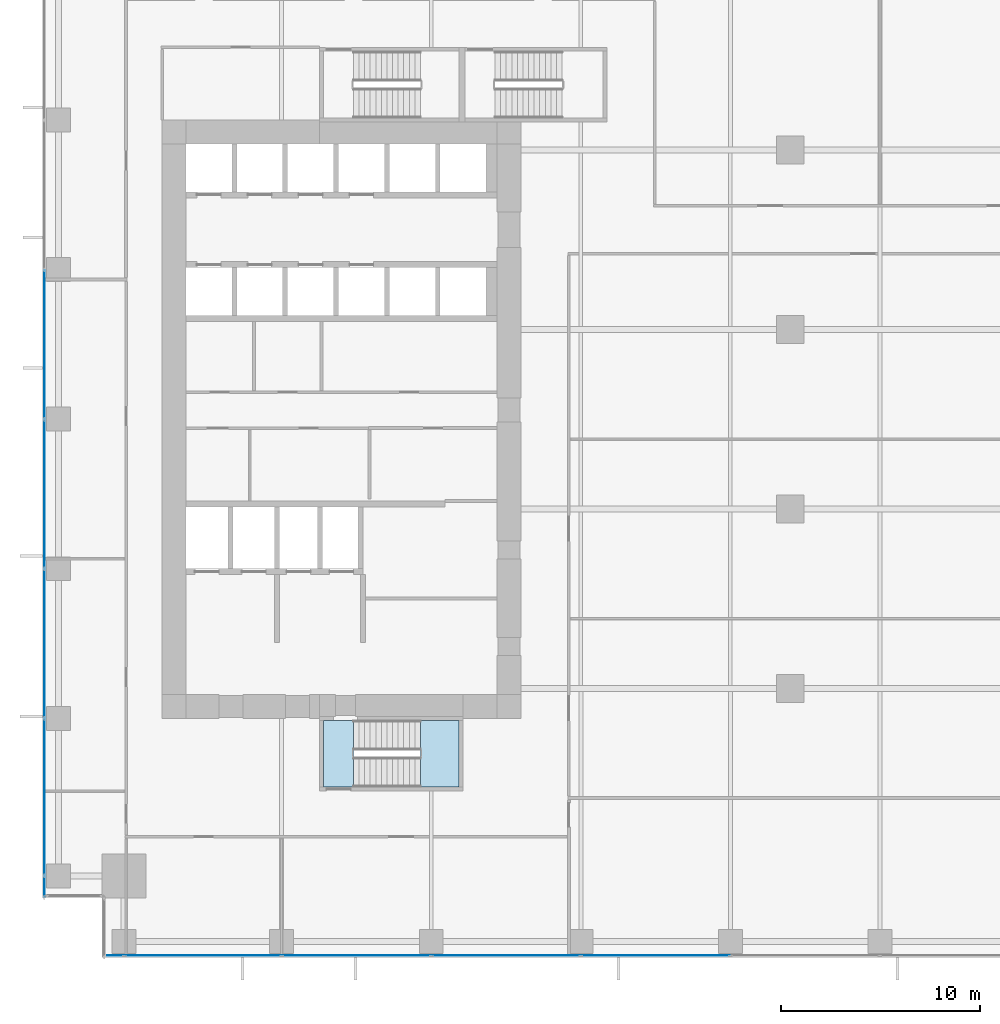
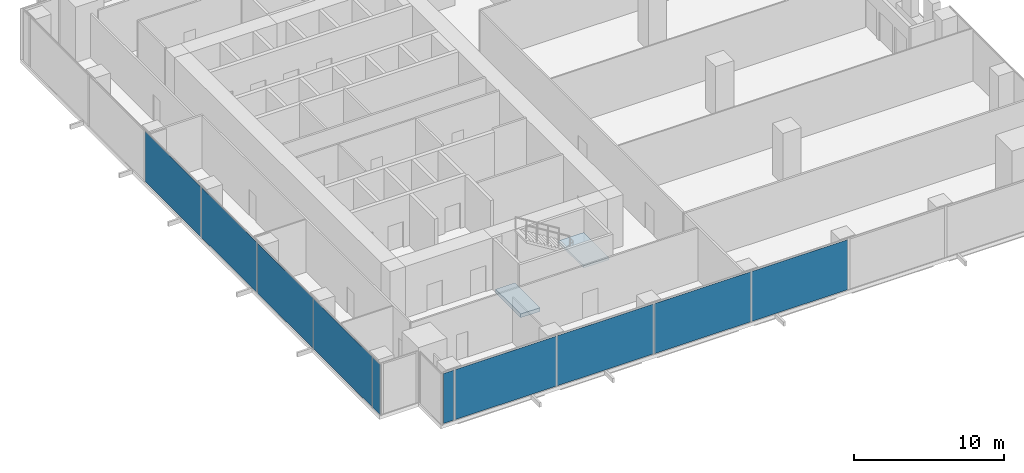
# One storey, part 21 of 32: 10 plates, 2 slabs, 3 elements without a shape of their own.
"""IFC4 building model written with IfcOpenShell, lengths in metres."""

from ifc_helpers import new_model, si_unit, direction, frame, origin, origin_2d, place, context, subcontext, project, spatial, polyline, rectangle, outline, extrude, source, transform, mapped, material, layer, layer_set, type_object, element, aggregate, save


model = new_model("IFC4")

# Units and contexts
model_context = context("Model", 3, precision=1e-05, world=origin(), true_north=direction((0.0, 1.0)))
body_context = subcontext(model_context, "Body", "Model", "MODEL_VIEW")
ifc_project = project(units=[si_unit("LENGTHUNIT", "METRE"), si_unit("AREAUNIT", "SQUARE_METRE"), si_unit("VOLUMEUNIT", "CUBIC_METRE"), si_unit("PLANEANGLEUNIT", "RADIAN"), si_unit("MASSUNIT", "GRAM", prefix="KILO")], contexts=[model_context])

# Site, building, storey
site_placement = place(None, origin())
site = spatial("IfcSite", under=ifc_project, at=site_placement, CompositionType="ELEMENT")
building_placement = place(site_placement, origin())
building = spatial("IfcBuilding", under=site, at=building_placement, Name="Khomas Fold Tower", CompositionType="ELEMENT")
storey_placement = place(building_placement, frame((0.0, 0.0, 37.5)))
storey = spatial("IfcBuildingStorey", under=building, at=storey_placement, Name="L07", CompositionType="ELEMENT", Elevation=37.5)

# Curtain wall, plates
ifc_material_1 = material(Name="Aluminium framed double glazing", Category="aluminium")
curtain_wall_type = type_object("IfcCurtainWallType", Name="SK-Unitised clear-glass wall, growing floors CW1", PredefinedType="NOTDEFINED", material=ifc_material_1)
curtain_wall_1_placement = place(storey_placement, origin())
curtain_wall_1 = element("IfcCurtainWall", 1, at=curtain_wall_1_placement, inside=storey, type_object=curtain_wall_type, Name="CW1 run L07 00-0", PredefinedType="NOTDEFINED")
ifc_material_2 = material(Name="Clear double glazed unit")
ifc_layer_1 = layer(ifc_material_2, 0.031982421875)
ifc_layer_set_1 = layer_set([ifc_layer_1], Name="Clear double glazed unit")
plate_type = type_object("IfcPlateType", Name="SK-Unitised clear-glass wall, growing floors glass panel CW1-P", PredefinedType="CURTAIN_PANEL", material=ifc_layer_set_1)
shared_shape_1 = source(origin(), body_context, "Body", "SweptSolid", [
    extrude(rectangle(XDim=0.81005859375, YDim=0.031982421875, at=origin_2d()), origin(), (0.0, 0.0, 1.0), 4.080078125),
])
plate_1_placement = place(storey_placement, frame((3.6650390625, 0.10009765625, 0.0), z_axis=(0.0, 0.0, 1.0), x_axis=(1.0, 0.0, 0.0)))
plate_1 = element("IfcPlate", 2, at=plate_1_placement, type_object=plate_type, Name="CW1 glass panel 1", PredefinedType="CURTAIN_PANEL", context=body_context, shape_type="MappedRepresentation", body=[
    mapped(shared_shape_1, transform((0.0, 0.0, 0.0))),
])
shared_shape_2 = source(origin(), body_context, "Body", "SweptSolid", [
    extrude(rectangle(XDim=7.840087890625, YDim=0.031982421875, at=origin_2d()), origin(), (0.0, 0.0, 1.0), 4.080078125),
])
plate_2_placement = place(storey_placement, frame((8.050048828125, 0.10009765625, 0.0), z_axis=(0.0, 0.0, 1.0), x_axis=(1.0, 0.0, 0.0)))
plate_2 = element("IfcPlate", 3, at=plate_2_placement, type_object=plate_type, Name="CW1 glass panel 2", PredefinedType="CURTAIN_PANEL", context=body_context, shape_type="MappedRepresentation", body=[
    mapped(shared_shape_2, transform((0.0, 0.0, 0.0))),
])

# Curtain wall, plate
curtain_wall_2_placement = place(storey_placement, origin())
curtain_wall_2 = element("IfcCurtainWall", 4, at=curtain_wall_2_placement, inside=storey, type_object=curtain_wall_type, Name="CW1 run L07 09-0", PredefinedType="NOTDEFINED")
plate_3_placement = place(storey_placement, frame((0.10009765625, 8.050048828125, 0.0), z_axis=(0.0, 0.0, 1.0), x_axis=(0.0, -1.0, 0.0)))
plate_3 = element("IfcPlate", 5, at=plate_3_placement, type_object=plate_type, Name="CW1 glass panel 7", PredefinedType="CURTAIN_PANEL", context=body_context, shape_type="MappedRepresentation", body=[
    mapped(shared_shape_2, transform((0.0, 0.0, 0.0))),
])

# Plate
shared_shape_3 = source(origin(), body_context, "Body", "SweptSolid", [
    extrude(rectangle(XDim=7.43994140625, YDim=0.031982421875, at=origin_2d()), origin(), (0.0, 0.0, 1.0), 4.080078125),
])
plate_4_placement = place(storey_placement, frame((15.75, 0.10009765625, 0.0), z_axis=(0.0, 0.0, 1.0), x_axis=(1.0, 0.0, 0.0)))
plate_4 = element("IfcPlate", 6, at=plate_4_placement, type_object=plate_type, Name="CW1 glass panel 3", PredefinedType="CURTAIN_PANEL", context=body_context, shape_type="MappedRepresentation", body=[
    mapped(shared_shape_3, transform((0.0, 0.0, 0.0))),
])

plate_5_placement = place(storey_placement, frame((23.25, 0.10009765625, 0.0), z_axis=(0.0, 0.0, 1.0), x_axis=(1.0, 0.0, 0.0)))
plate_5 = element("IfcPlate", 7, at=plate_5_placement, type_object=plate_type, Name="CW1 glass panel 4", PredefinedType="CURTAIN_PANEL", context=body_context, shape_type="MappedRepresentation", body=[
    mapped(shared_shape_3, transform((0.0, 0.0, 0.0))),
])

plate_6_placement = place(storey_placement, frame((30.75, 0.10009765625, 0.0), z_axis=(0.0, 0.0, 1.0), x_axis=(1.0, 0.0, 0.0)))
plate_6 = element("IfcPlate", 8, at=plate_6_placement, type_object=plate_type, Name="CW1 glass panel 5", PredefinedType="CURTAIN_PANEL", context=body_context, shape_type="MappedRepresentation", body=[
    mapped(shared_shape_3, transform((0.0, 0.0, 0.0))),
])

aggregate(curtain_wall_1, [plate_1, plate_2, plate_4, plate_5, plate_6])

plate_7_placement = place(storey_placement, frame((0.10009765625, 30.75, 0.0), z_axis=(0.0, 0.0, 1.0), x_axis=(0.0, -1.0, 0.0)))
plate_7 = element("IfcPlate", 9, at=plate_7_placement, type_object=plate_type, Name="CW1 glass panel 4", PredefinedType="CURTAIN_PANEL", context=body_context, shape_type="MappedRepresentation", body=[
    mapped(shared_shape_3, transform((0.0, 0.0, 0.0))),
])

plate_8_placement = place(storey_placement, frame((0.10009765625, 23.25, 0.0), z_axis=(0.0, 0.0, 1.0), x_axis=(0.0, -1.0, 0.0)))
plate_8 = element("IfcPlate", 10, at=plate_8_placement, type_object=plate_type, Name="CW1 glass panel 5", PredefinedType="CURTAIN_PANEL", context=body_context, shape_type="MappedRepresentation", body=[
    mapped(shared_shape_3, transform((0.0, 0.0, 0.0))),
])

plate_9_placement = place(storey_placement, frame((0.10009765625, 15.75, 0.0), z_axis=(0.0, 0.0, 1.0), x_axis=(0.0, -1.0, 0.0)))
plate_9 = element("IfcPlate", 11, at=plate_9_placement, type_object=plate_type, Name="CW1 glass panel 6", PredefinedType="CURTAIN_PANEL", context=body_context, shape_type="MappedRepresentation", body=[
    mapped(shared_shape_3, transform((0.0, 0.0, 0.0))),
])

shared_shape_4 = source(origin(), body_context, "Body", "SweptSolid", [
    extrude(rectangle(XDim=1.010009765625, YDim=0.031982421875, at=origin_2d()), origin(), (0.0, 0.0, 1.0), 4.080078125),
])
plate_10_placement = place(storey_placement, frame((0.10009765625, 3.56494140625, 0.0), z_axis=(0.0, 0.0, 1.0), x_axis=(0.0, -1.0, 0.0)))
plate_10 = element("IfcPlate", 12, at=plate_10_placement, type_object=plate_type, Name="CW1 glass panel 8", PredefinedType="CURTAIN_PANEL", context=body_context, shape_type="MappedRepresentation", body=[
    mapped(shared_shape_4, transform((0.0, 0.0, 0.0))),
])

aggregate(curtain_wall_2, [plate_7, plate_8, plate_9, plate_3, plate_10])

# Stair, slab
ifc_material_3 = material(Name="Concrete C40/50", Category="concrete")
stair_type = type_object("IfcStairType", Name="Stair ST2", PredefinedType="HALF_TURN_STAIR", material=ifc_material_3)
stair_placement = place(storey_placement, origin())
stair = element("IfcStair", 13, at=stair_placement, inside=storey, type_object=stair_type, Name="L07 ST2", PredefinedType="HALF_TURN_STAIR")
ifc_material_4 = material(Name="Concrete C40/50", Category="concrete")
ifc_layer_2 = layer(ifc_material_4, 0.199951171875)
ifc_layer_set_2 = layer_set([ifc_layer_2], Name="Concrete C40/50")
slab_type_1 = type_object("IfcSlabType", Name="Stair landing 200", PredefinedType="LANDING", material=ifc_layer_set_2)
shared_shape_5 = source(origin(), body_context, "Body", "SweptSolid", [
    extrude(outline(polyline([(18.9599609375, 8.550048828125), (20.89990234375, 8.550048828125), (20.89990234375, 11.89990234375), (18.9599609375, 11.89990234375), (18.9599609375, 8.550048828125)])), origin(), (0.0, 0.0, 1.0), 0.199951171875),
])
slab_1_placement = place(storey_placement, frame((0.0, 0.0, 2.050048828125)))
slab_1 = element("IfcSlab", 14, at=slab_1_placement, type_object=slab_type_1, Name="ST2 landing 1", PredefinedType="LANDING", context=body_context, shape_type="MappedRepresentation", body=[
    mapped(shared_shape_5, transform((0.0, 0.0, 0.0))),
])
aggregate(stair, [slab_1])

# Slab
ifc_material_5 = material(Name="Concrete C40/50", Category="concrete")
ifc_layer_3 = layer(ifc_material_5, 0.300048828125)
ifc_layer_set_3 = layer_set([ifc_layer_3], Name="Concrete C40/50")
slab_type_2 = type_object("IfcSlabType", Name="Stair floor landing 300", PredefinedType="LANDING", material=ifc_layer_set_3)
shared_shape_6 = source(origin(), body_context, "Body", "SweptSolid", [
    extrude(outline(polyline([(15.60009765625, 8.550048828125), (14.10009765625, 8.550048828125), (14.10009765625, 11.89990234375), (15.60009765625, 11.89990234375), (15.60009765625, 8.550048828125)])), origin(), (0.0, 0.0, 1.0), 0.300048828125),
])
slab_2_placement = place(storey_placement, frame((0.0, 0.0, -0.300048828125)))
element("IfcSlab", 15, at=slab_2_placement, inside=storey, type_object=slab_type_2, Name="ST2 floor landing", PredefinedType="LANDING", context=body_context, shape_type="MappedRepresentation", body=[
    mapped(shared_shape_6, transform((0.0, 0.0, 0.0))),
])

save(model, "model.ifc")
